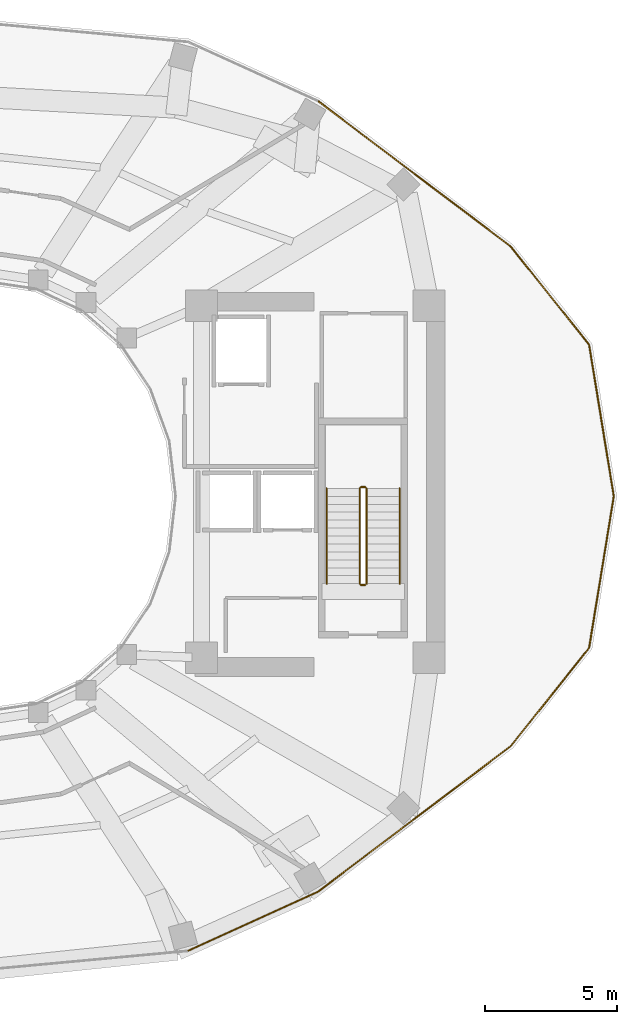
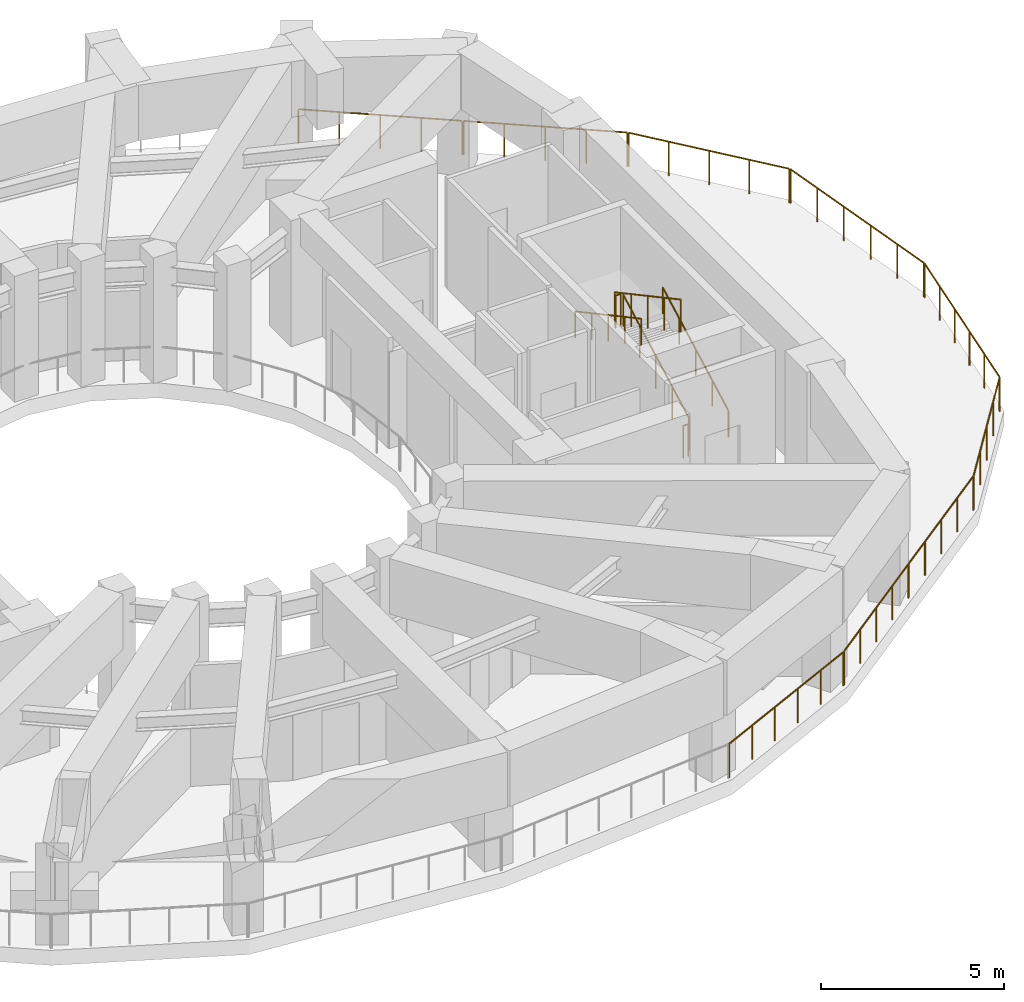
# One storey, part 8 of 9: 15 railings.
"""IFC4 building model written with IfcOpenShell, lengths in metres."""

from ifc_helpers import new_model, si_unit, direction, frame, origin, origin_2d, place, context, subcontext, project, spatial, circle, extrude, material, type_object, element, save


model = new_model("IFC4")

# Units and contexts
model_context = context("Model", 3, precision=1e-05, world=origin(), true_north=direction((0.0, 1.0)))
body_context = subcontext(model_context, "Body", "Model", "MODEL_VIEW")
ifc_project = project(units=[si_unit("LENGTHUNIT", "METRE"), si_unit("AREAUNIT", "SQUARE_METRE"), si_unit("VOLUMEUNIT", "CUBIC_METRE"), si_unit("PLANEANGLEUNIT", "RADIAN"), si_unit("MASSUNIT", "GRAM", prefix="KILO")], contexts=[model_context])

# Site, building, storey
site_placement = place(None, origin())
site = spatial("IfcSite", under=ifc_project, at=site_placement, CompositionType="ELEMENT")
building_placement = place(site_placement, origin())
building = spatial("IfcBuilding", under=site, at=building_placement, Name="Solvane Sanctuary Tower", CompositionType="ELEMENT")
storey_placement = place(building_placement, frame((0.0, 0.0, 133.199951171875)))
storey = spatial("IfcBuildingStorey", under=building, at=storey_placement, Name="L40", CompositionType="ELEMENT", Elevation=133.199951171875)

# Railings
ifc_material = material(Name="Architectural Stainless Steel 316", Category="steel")
railing_type_1 = type_object("IfcRailingType", Name="Railing GR-BALC-1150", PredefinedType="BALUSTRADE", material=ifc_material)
railing_1_placement = place(storey_placement, frame((55.677734375, 23.019775390625, 0.0)))
element("IfcRailing", 1, at=railing_1_placement, inside=storey, type_object=railing_type_1, Name="L40 Open Void-Portal Perimeter Balustrade 00", PredefinedType="BALUSTRADE", context=body_context, shape_type="SweptSolid", body=[
    extrude(circle(Radius=0.02392578125, at=origin_2d()), frame((0.0, 0.0, 1.1259765625), z_axis=(-0.16069766092, 0.987003678704, 0.0), x_axis=(-0.987003678704, -0.16069766092, 0.0)), (0.0, 0.0, 1.0), 5.76708984375),
    extrude(circle(Radius=0.02099609375, at=origin_2d()), origin(), (0.0, 0.0, 1.0), 1.101806640625),
    extrude(circle(Radius=0.02099609375, at=origin_2d()), frame((-0.185302734375, 1.138427734375, 0.0)), (0.0, 0.0, 1.0), 1.101806640625),
    extrude(circle(Radius=0.02099609375, at=origin_2d()), frame((-0.37060546875, 2.27685546875, 0.0)), (0.0, 0.0, 1.0), 1.101806640625),
    extrude(circle(Radius=0.02099609375, at=origin_2d()), frame((-0.55615234375, 3.415283203125, 0.0)), (0.0, 0.0, 1.0), 1.101806640625),
    extrude(circle(Radius=0.02099609375, at=origin_2d()), frame((-0.741455078125, 4.5537109375, 0.0)), (0.0, 0.0, 1.0), 1.101806640625),
    extrude(circle(Radius=0.02099609375, at=origin_2d()), frame((-0.9267578125, 5.692138671875, 0.0)), (0.0, 0.0, 1.0), 1.101806640625),
])
railing_2_placement = place(storey_placement, frame((54.7353515625, 28.747314453125, 0.0)))
element("IfcRailing", 2, at=railing_2_placement, inside=storey, type_object=railing_type_1, Name="L40 Open Void-Portal Perimeter Balustrade 01", PredefinedType="BALUSTRADE", context=body_context, shape_type="SweptSolid", body=[
    extrude(circle(Radius=0.02392578125, at=origin_2d()), frame((0.0, 0.0, 1.1259765625), z_axis=(-0.624253147679, 0.781222124375, 0.0), x_axis=(-0.781222124375, -0.624253147679, 0.0)), (0.0, 0.0, 1.0), 4.71728515625),
    extrude(circle(Radius=0.02099609375, at=origin_2d()), origin(), (0.0, 0.0, 1.0), 1.101806640625),
    extrude(circle(Radius=0.02099609375, at=origin_2d()), frame((-0.736328125, 0.92138671875, 0.0)), (0.0, 0.0, 1.0), 1.101806640625),
    extrude(circle(Radius=0.02099609375, at=origin_2d()), frame((-1.472412109375, 1.8427734375, 0.0)), (0.0, 0.0, 1.0), 1.101806640625),
    extrude(circle(Radius=0.02099609375, at=origin_2d()), frame((-2.20849609375, 2.763916015625, 0.0)), (0.0, 0.0, 1.0), 1.101806640625),
    extrude(circle(Radius=0.02099609375, at=origin_2d()), frame((-2.94482421875, 3.685302734375, 0.0)), (0.0, 0.0, 1.0), 1.101806640625),
])
railing_3_placement = place(storey_placement, frame((51.761962890625, 32.460205078125, 0.0)))
element("IfcRailing", 3, at=railing_3_placement, inside=storey, type_object=railing_type_1, Name="L40 Open Void-Portal Perimeter Balustrade 02", PredefinedType="BALUSTRADE", context=body_context, shape_type="SweptSolid", body=[
    extrude(circle(Radius=0.02392578125, at=origin_2d()), frame((0.0, 0.0, 1.1259765625), z_axis=(-0.798328062735, 0.602222802832, 0.0), x_axis=(-0.602222802832, -0.798328062735, 0.0)), (0.0, 0.0, 1.0), 4.51171875),
    extrude(circle(Radius=0.02099609375, at=origin_2d()), origin(), (0.0, 0.0, 1.0), 1.101806640625),
    extrude(circle(Radius=0.02099609375, at=origin_2d()), frame((-0.900390625, 0.67919921875, 0.0)), (0.0, 0.0, 1.0), 1.101806640625),
    extrude(circle(Radius=0.02099609375, at=origin_2d()), frame((-1.80078125, 1.3583984375, 0.0)), (0.0, 0.0, 1.0), 1.101806640625),
    extrude(circle(Radius=0.02099609375, at=origin_2d()), frame((-2.701416015625, 2.037841796875, 0.0)), (0.0, 0.0, 1.0), 1.101806640625),
    extrude(circle(Radius=0.02099609375, at=origin_2d()), frame((-3.601806640625, 2.717041015625, 0.0)), (0.0, 0.0, 1.0), 1.101806640625),
])
railing_4_placement = place(storey_placement, frame((48.128173828125, 35.201416015625, 0.0)))
element("IfcRailing", 4, at=railing_4_placement, inside=storey, type_object=railing_type_1, Name="L40 Open Void-Portal Perimeter Balustrade 03", PredefinedType="BALUSTRADE", context=body_context, shape_type="SweptSolid", body=[
    extrude(circle(Radius=0.02392578125, at=origin_2d()), frame((0.0, 0.0, 1.1259765625), z_axis=(-0.797812361188, 0.602905827088, 0.0), x_axis=(-0.602905827088, -0.797812361188, 0.0)), (0.0, 0.0, 1.0), 4.5107421875),
    extrude(circle(Radius=0.02099609375, at=origin_2d()), origin(), (0.0, 0.0, 1.0), 1.101806640625),
    extrude(circle(Radius=0.02099609375, at=origin_2d()), frame((-0.899658203125, 0.679931640625, 0.0)), (0.0, 0.0, 1.0), 1.101806640625),
    extrude(circle(Radius=0.02099609375, at=origin_2d()), frame((-1.79931640625, 1.35986328125, 0.0)), (0.0, 0.0, 1.0), 1.101806640625),
    extrude(circle(Radius=0.02099609375, at=origin_2d()), frame((-2.698974609375, 2.03955078125, 0.0)), (0.0, 0.0, 1.0), 1.101806640625),
    extrude(circle(Radius=0.02099609375, at=origin_2d()), frame((-3.5986328125, 2.719482421875, 0.0)), (0.0, 0.0, 1.0), 1.101806640625),
])
railing_5_placement = place(storey_placement, frame((39.609619140625, 5.8330078125, 0.0)))
element("IfcRailing", 5, at=railing_5_placement, inside=storey, type_object=railing_type_1, Name="L40 Open Void-Portal Perimeter Balustrade 19", PredefinedType="BALUSTRADE", context=body_context, shape_type="SweptSolid", body=[
    extrude(circle(Radius=0.02392578125, at=origin_2d()), frame((0.0, 0.0, 1.1259765625), z_axis=(0.910029792136, 0.414542853544, 0.0), x_axis=(-0.414542853544, 0.910029792136, 0.0)), (0.0, 0.0, 1.0), 5.36865234375),
    extrude(circle(Radius=0.02099609375, at=origin_2d()), origin(), (0.0, 0.0, 1.0), 1.101806640625),
    extrude(circle(Radius=0.02099609375, at=origin_2d()), frame((0.97705078125, 0.445068359375, 0.0)), (0.0, 0.0, 1.0), 1.101806640625),
    extrude(circle(Radius=0.02099609375, at=origin_2d()), frame((1.954345703125, 0.89013671875, 0.0)), (0.0, 0.0, 1.0), 1.101806640625),
    extrude(circle(Radius=0.02099609375, at=origin_2d()), frame((2.931396484375, 1.33544921875, 0.0)), (0.0, 0.0, 1.0), 1.101806640625),
    extrude(circle(Radius=0.02099609375, at=origin_2d()), frame((3.90869140625, 1.780517578125, 0.0)), (0.0, 0.0, 1.0), 1.101806640625),
    extrude(circle(Radius=0.02099609375, at=origin_2d()), frame((4.8857421875, 2.2255859375, 0.0)), (0.0, 0.0, 1.0), 1.101806640625),
])
railing_6_placement = place(storey_placement, frame((44.529541015625, 8.0791015625, 0.0)))
element("IfcRailing", 6, at=railing_6_placement, inside=storey, type_object=railing_type_1, Name="L40 Open Void-Portal Perimeter Balustrade 20", PredefinedType="BALUSTRADE", context=body_context, shape_type="SweptSolid", body=[
    extrude(circle(Radius=0.02392578125, at=origin_2d()), frame((0.0, 0.0, 1.1259765625), z_axis=(0.797812361188, 0.602905827088, 0.0), x_axis=(-0.602905827088, 0.797812361188, 0.0)), (0.0, 0.0, 1.0), 4.5107421875),
    extrude(circle(Radius=0.02099609375, at=origin_2d()), origin(), (0.0, 0.0, 1.0), 1.101806640625),
    extrude(circle(Radius=0.02099609375, at=origin_2d()), frame((0.899658203125, 0.679931640625, 0.0)), (0.0, 0.0, 1.0), 1.101806640625),
    extrude(circle(Radius=0.02099609375, at=origin_2d()), frame((1.79931640625, 1.35986328125, 0.0)), (0.0, 0.0, 1.0), 1.101806640625),
    extrude(circle(Radius=0.02099609375, at=origin_2d()), frame((2.698974609375, 2.03955078125, 0.0)), (0.0, 0.0, 1.0), 1.101806640625),
    extrude(circle(Radius=0.02099609375, at=origin_2d()), frame((3.5986328125, 2.719482421875, 0.0)), (0.0, 0.0, 1.0), 1.101806640625),
])
railing_7_placement = place(storey_placement, frame((48.16015625, 10.82275390625, 0.0)))
element("IfcRailing", 7, at=railing_7_placement, inside=storey, type_object=railing_type_1, Name="L40 Open Void-Portal Perimeter Balustrade 21", PredefinedType="BALUSTRADE", context=body_context, shape_type="SweptSolid", body=[
    extrude(circle(Radius=0.02392578125, at=origin_2d()), frame((0.0, 0.0, 1.1259765625), z_axis=(0.798328062735, 0.602222802832, 0.0), x_axis=(-0.602222802832, 0.798328062735, 0.0)), (0.0, 0.0, 1.0), 4.51171875),
    extrude(circle(Radius=0.02099609375, at=origin_2d()), origin(), (0.0, 0.0, 1.0), 1.101806640625),
    extrude(circle(Radius=0.02099609375, at=origin_2d()), frame((0.900390625, 0.67919921875, 0.0)), (0.0, 0.0, 1.0), 1.101806640625),
    extrude(circle(Radius=0.02099609375, at=origin_2d()), frame((1.80078125, 1.3583984375, 0.0)), (0.0, 0.0, 1.0), 1.101806640625),
    extrude(circle(Radius=0.02099609375, at=origin_2d()), frame((2.701416015625, 2.037841796875, 0.0)), (0.0, 0.0, 1.0), 1.101806640625),
    extrude(circle(Radius=0.02099609375, at=origin_2d()), frame((3.601806640625, 2.717041015625, 0.0)), (0.0, 0.0, 1.0), 1.101806640625),
])
railing_8_placement = place(storey_placement, frame((51.79052734375, 13.5673828125, 0.0)))
element("IfcRailing", 8, at=railing_8_placement, inside=storey, type_object=railing_type_1, Name="L40 Open Void-Portal Perimeter Balustrade 22", PredefinedType="BALUSTRADE", context=body_context, shape_type="SweptSolid", body=[
    extrude(circle(Radius=0.02392578125, at=origin_2d()), frame((0.0, 0.0, 1.1259765625), z_axis=(0.624253147679, 0.781222124375, 0.0), x_axis=(-0.781222124375, 0.624253147679, 0.0)), (0.0, 0.0, 1.0), 4.71728515625),
    extrude(circle(Radius=0.02099609375, at=origin_2d()), origin(), (0.0, 0.0, 1.0), 1.101806640625),
    extrude(circle(Radius=0.02099609375, at=origin_2d()), frame((0.736328125, 0.92138671875, 0.0)), (0.0, 0.0, 1.0), 1.101806640625),
    extrude(circle(Radius=0.02099609375, at=origin_2d()), frame((1.472412109375, 1.8427734375, 0.0)), (0.0, 0.0, 1.0), 1.101806640625),
    extrude(circle(Radius=0.02099609375, at=origin_2d()), frame((2.20849609375, 2.763916015625, 0.0)), (0.0, 0.0, 1.0), 1.101806640625),
    extrude(circle(Radius=0.02099609375, at=origin_2d()), frame((2.94482421875, 3.685302734375, 0.0)), (0.0, 0.0, 1.0), 1.101806640625),
])
railing_9_placement = place(storey_placement, frame((54.7509765625, 17.2880859375, 0.0)))
element("IfcRailing", 9, at=railing_9_placement, inside=storey, type_object=railing_type_1, Name="L40 Open Void-Portal Perimeter Balustrade 23", PredefinedType="BALUSTRADE", context=body_context, shape_type="SweptSolid", body=[
    extrude(circle(Radius=0.02392578125, at=origin_2d()), frame((0.0, 0.0, 1.1259765625), z_axis=(0.16069766092, 0.987003678704, 0.0), x_axis=(-0.987003678704, 0.16069766092, 0.0)), (0.0, 0.0, 1.0), 5.76708984375),
    extrude(circle(Radius=0.02099609375, at=origin_2d()), origin(), (0.0, 0.0, 1.0), 1.101806640625),
    extrude(circle(Radius=0.02099609375, at=origin_2d()), frame((0.185302734375, 1.138427734375, 0.0)), (0.0, 0.0, 1.0), 1.101806640625),
    extrude(circle(Radius=0.02099609375, at=origin_2d()), frame((0.37060546875, 2.27685546875, 0.0)), (0.0, 0.0, 1.0), 1.101806640625),
    extrude(circle(Radius=0.02099609375, at=origin_2d()), frame((0.55615234375, 3.415283203125, 0.0)), (0.0, 0.0, 1.0), 1.101806640625),
    extrude(circle(Radius=0.02099609375, at=origin_2d()), frame((0.741455078125, 4.5537109375, 0.0)), (0.0, 0.0, 1.0), 1.101806640625),
    extrude(circle(Radius=0.02099609375, at=origin_2d()), frame((0.9267578125, 5.692138671875, 0.0)), (0.0, 0.0, 1.0), 1.101806640625),
])
railing_10_placement = place(storey_placement, frame((46.340087890625, 19.699951171875, 0.16162109375)))
element("IfcRailing", 10, at=railing_10_placement, inside=storey, type_object=railing_type_1, Name="L40 ST-2 stair guard 1", PredefinedType="BALUSTRADE", context=body_context, shape_type="SweptSolid", body=[
    extrude(circle(Radius=0.02392578125, at=origin_2d()), frame((0.0, 0.0, 1.076171875), z_axis=(0.0, 0.880474934443, 0.474092701714), x_axis=(-1.0, 0.0, 0.0)), (0.0, 0.0, 1.0), 4.0888671875),
    extrude(circle(Radius=0.02099609375, at=origin_2d()), origin(), (0.0, 0.0, 1.0), 1.052001953125),
    extrude(circle(Radius=0.02099609375, at=origin_2d()), frame((0.0, 0.89990234375, 0.484619140625)), (0.0, 0.0, 1.0), 1.052001953125),
    extrude(circle(Radius=0.02099609375, at=origin_2d()), frame((0.0, 1.800048828125, 0.96923828125)), (0.0, 0.0, 1.0), 1.052001953125),
    extrude(circle(Radius=0.02099609375, at=origin_2d()), frame((0.0, 2.7001953125, 1.453857421875)), (0.0, 0.0, 1.0), 1.052001953125),
    extrude(circle(Radius=0.02099609375, at=origin_2d()), frame((0.0, 3.60009765625, 1.9384765625)), (0.0, 0.0, 1.0), 1.052001953125),
])
railing_11_placement = place(storey_placement, frame((46.2900390625, 23.35009765625, 2.10009765625)))
element("IfcRailing", 11, at=railing_11_placement, inside=storey, type_object=railing_type_1, Name="L40 ST-2 stair guard 2", PredefinedType="BALUSTRADE", context=body_context, shape_type="SweptSolid", body=[
    extrude(circle(Radius=0.02392578125, at=origin_2d()), frame((0.0, 0.0, 1.076171875), z_axis=(-1.0, 0.0, 0.0), x_axis=(0.0, -1.0, 0.0)), (0.0, 0.0, 1.0), 0.16015625),
    extrude(circle(Radius=0.02099609375, at=origin_2d()), origin(), (0.0, 0.0, 1.0), 1.052001953125),
    extrude(circle(Radius=0.02099609375, at=origin_2d()), frame((-0.16015625, 0.0, 0.0)), (0.0, 0.0, 1.0), 1.052001953125),
])
railing_12_placement = place(storey_placement, frame((46.080078125, 23.300048828125, 2.261474609375)))
element("IfcRailing", 12, at=railing_12_placement, inside=storey, type_object=railing_type_1, Name="L40 ST-2 stair guard 3", PredefinedType="BALUSTRADE", context=body_context, shape_type="SweptSolid", body=[
    extrude(circle(Radius=0.02392578125, at=origin_2d()), frame((0.0, 0.0, 1.076171875), z_axis=(0.0, -0.880474934443, 0.474092701714), x_axis=(1.0, 0.0, 0.0)), (0.0, 0.0, 1.0), 4.0888671875),
    extrude(circle(Radius=0.02099609375, at=origin_2d()), origin(), (0.0, 0.0, 1.0), 1.052001953125),
    extrude(circle(Radius=0.02099609375, at=origin_2d()), frame((0.0, -0.89990234375, 0.484619140625)), (0.0, 0.0, 1.0), 1.052001953125),
    extrude(circle(Radius=0.02099609375, at=origin_2d()), frame((0.0, -1.800048828125, 0.96923828125)), (0.0, 0.0, 1.0), 1.052001953125),
    extrude(circle(Radius=0.02099609375, at=origin_2d()), frame((0.0, -2.7001953125, 1.453857421875)), (0.0, 0.0, 1.0), 1.052001953125),
    extrude(circle(Radius=0.02099609375, at=origin_2d()), frame((0.0, -3.60009765625, 1.9384765625)), (0.0, 0.0, 1.0), 1.052001953125),
])
railing_13_placement = place(storey_placement, frame((46.2900390625, 19.64990234375, 0.0)))
element("IfcRailing", 13, at=railing_13_placement, inside=storey, type_object=railing_type_1, Name="L40 ST-2 stair guard 4", PredefinedType="BALUSTRADE", context=body_context, shape_type="SweptSolid", body=[
    extrude(circle(Radius=0.02392578125, at=origin_2d()), frame((0.0, 0.0, 1.076171875), z_axis=(-1.0, 0.0, 0.0), x_axis=(0.0, -1.0, 0.0)), (0.0, 0.0, 1.0), 0.16015625),
    extrude(circle(Radius=0.02099609375, at=origin_2d()), origin(), (0.0, 0.0, 1.0), 1.052001953125),
    extrude(circle(Radius=0.02099609375, at=origin_2d()), frame((-0.16015625, 0.0, 0.0)), (0.0, 0.0, 1.0), 1.052001953125),
])
railing_type_2 = type_object("IfcRailingType", Name="Railing HR-STAIR-920", PredefinedType="HANDRAIL", material=ifc_material)
railing_14_placement = place(storey_placement, frame((47.590087890625, 19.699951171875, 0.16162109375)))
element("IfcRailing", 14, at=railing_14_placement, inside=storey, type_object=railing_type_2, Name="L40 ST-2 stair handrail 1", PredefinedType="HANDRAIL", context=body_context, shape_type="SweptSolid", body=[
    extrude(circle(Radius=0.02392578125, at=origin_2d()), frame((0.0, 0.0, 0.8759765625), z_axis=(0.0, 0.880474934443, 0.474092701714), x_axis=(-1.0, 0.0, 0.0)), (0.0, 0.0, 1.0), 4.0888671875),
    extrude(circle(Radius=0.02099609375, at=origin_2d()), origin(), (0.0, 0.0, 1.0), 0.851806640625),
    extrude(circle(Radius=0.02099609375, at=origin_2d()), frame((0.0, 0.89990234375, 0.484619140625)), (0.0, 0.0, 1.0), 0.851806640625),
    extrude(circle(Radius=0.02099609375, at=origin_2d()), frame((0.0, 1.800048828125, 0.96923828125)), (0.0, 0.0, 1.0), 0.851806640625),
    extrude(circle(Radius=0.02099609375, at=origin_2d()), frame((0.0, 2.7001953125, 1.453857421875)), (0.0, 0.0, 1.0), 0.851806640625),
    extrude(circle(Radius=0.02099609375, at=origin_2d()), frame((0.0, 3.60009765625, 1.9384765625)), (0.0, 0.0, 1.0), 0.851806640625),
])
railing_15_placement = place(storey_placement, frame((44.830078125, 23.300048828125, 2.261474609375)))
element("IfcRailing", 15, at=railing_15_placement, inside=storey, type_object=railing_type_2, Name="L40 ST-2 stair handrail 2", PredefinedType="HANDRAIL", context=body_context, shape_type="SweptSolid", body=[
    extrude(circle(Radius=0.02392578125, at=origin_2d()), frame((0.0, 0.0, 0.8759765625), z_axis=(0.0, -0.880474934443, 0.474092701714), x_axis=(1.0, 0.0, 0.0)), (0.0, 0.0, 1.0), 4.0888671875),
    extrude(circle(Radius=0.02099609375, at=origin_2d()), origin(), (0.0, 0.0, 1.0), 0.851806640625),
    extrude(circle(Radius=0.02099609375, at=origin_2d()), frame((0.0, -0.89990234375, 0.484619140625)), (0.0, 0.0, 1.0), 0.851806640625),
    extrude(circle(Radius=0.02099609375, at=origin_2d()), frame((0.0, -1.800048828125, 0.96923828125)), (0.0, 0.0, 1.0), 0.851806640625),
    extrude(circle(Radius=0.02099609375, at=origin_2d()), frame((0.0, -2.7001953125, 1.453857421875)), (0.0, 0.0, 1.0), 0.851806640625),
    extrude(circle(Radius=0.02099609375, at=origin_2d()), frame((0.0, -3.60009765625, 1.9384765625)), (0.0, 0.0, 1.0), 0.851806640625),
])

save(model, "model.ifc")
